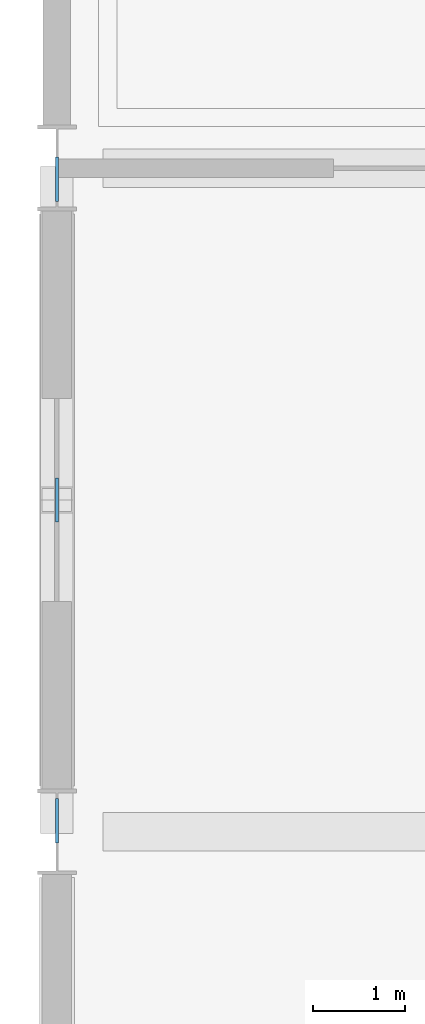
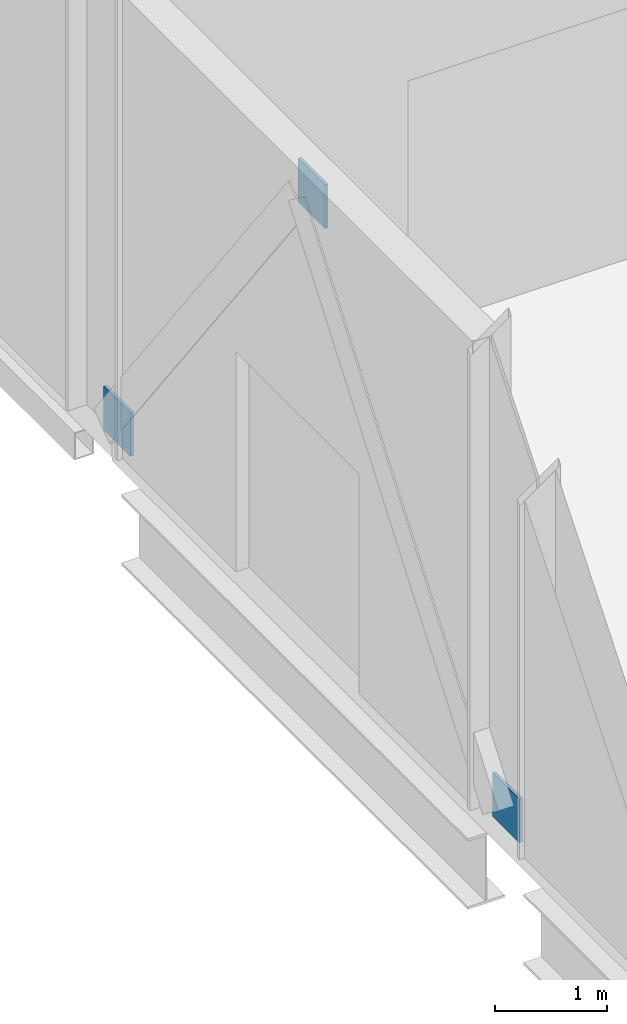
# One storey, part 79 of 137: 3 plates.
"""IFC4 building model written with IfcOpenShell, lengths in metres."""

from ifc_helpers import new_model, si_unit, direction, frame, origin, origin_2d, place, context, subcontext, project, spatial, rectangle, extrude, material, layer, layer_set, type_object, element, save


model = new_model("IFC4")

# Units and contexts
model_context = context("Model", 3, precision=1e-05, world=origin(), true_north=direction((0.0, 1.0)))
body_context = subcontext(model_context, "Body", "Model", "MODEL_VIEW")
ifc_project = project(units=[si_unit("LENGTHUNIT", "METRE"), si_unit("AREAUNIT", "SQUARE_METRE"), si_unit("VOLUMEUNIT", "CUBIC_METRE"), si_unit("PLANEANGLEUNIT", "RADIAN"), si_unit("MASSUNIT", "GRAM", prefix="KILO")], contexts=[model_context])

# Site, building, storey
site_placement = place(None, origin())
site = spatial("IfcSite", under=ifc_project, at=site_placement, CompositionType="ELEMENT")
building_placement = place(site_placement, origin())
building = spatial("IfcBuilding", under=site, at=building_placement, Name="Celestram Park Convention Centre", CompositionType="ELEMENT")
storey_placement = place(building_placement, origin())
storey = spatial("IfcBuildingStorey", under=building, at=storey_placement, Name="L00", CompositionType="ELEMENT", Elevation=0.0)

# Plates
ifc_material = material(Name="Steel ASTM A572 Grade 50", Category="steel")
ifc_layer = layer(ifc_material, 0.031982421875)
ifc_layer_set = layer_set([ifc_layer], Name="Steel ASTM A572 Grade 50")
plate_type = type_object("IfcPlateType", Name="STR-PLT-GP32", PredefinedType="USERDEFINED", material=ifc_layer_set)
for number, where, z_axis, x_axis, name in (
    (1, (0.0, 104.39990234375, 4.510009765625), (0.0, 0.0, 1.0), (0.0, 1.0, 0.0), "Chevron brace apex gusset GP-L00-514"),
    (2, (0.0, 100.919921875, -0.090087890625), (0.0, 0.0, 1.0), (0.0, 1.0, 0.0), "Chevron brace base gusset GP-L00-515"),
    (3, (0.0, 107.8798828125, -0.090087890625), (0.0, 0.0, 1.0), (0.0, 1.0, 0.0), "Chevron brace base gusset GP-L00-516"),
):
    element("IfcPlate", number, at=place(storey_placement, frame(where, z_axis=z_axis, x_axis=x_axis)), inside=storey, type_object=plate_type, Name=name, ObjectType="GUSSET_PLATE", PredefinedType="USERDEFINED", context=body_context, shape_type="SweptSolid", body=[
        extrude(rectangle(XDim=0.47998046875, YDim=0.031982421875, at=origin_2d()), origin(), (0.0, 0.0, 1.0), 0.47998046875),
    ])

save(model, "model.ifc")
